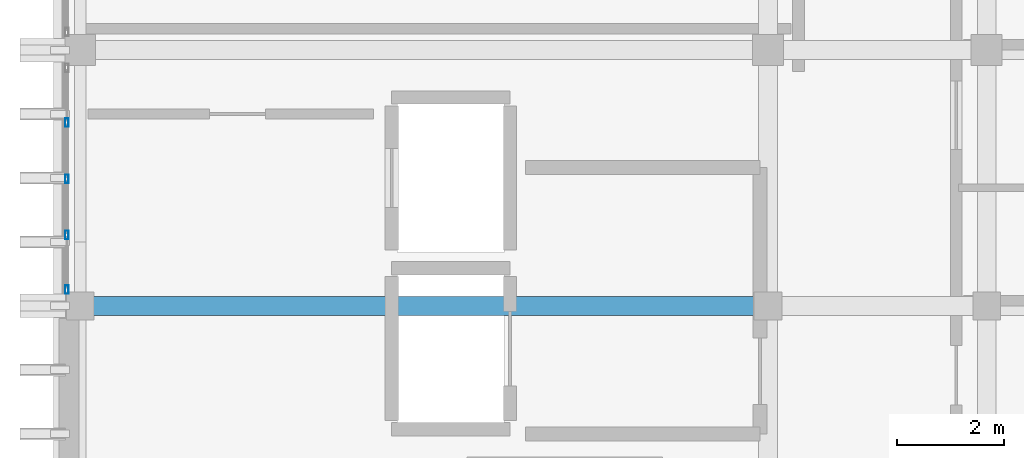
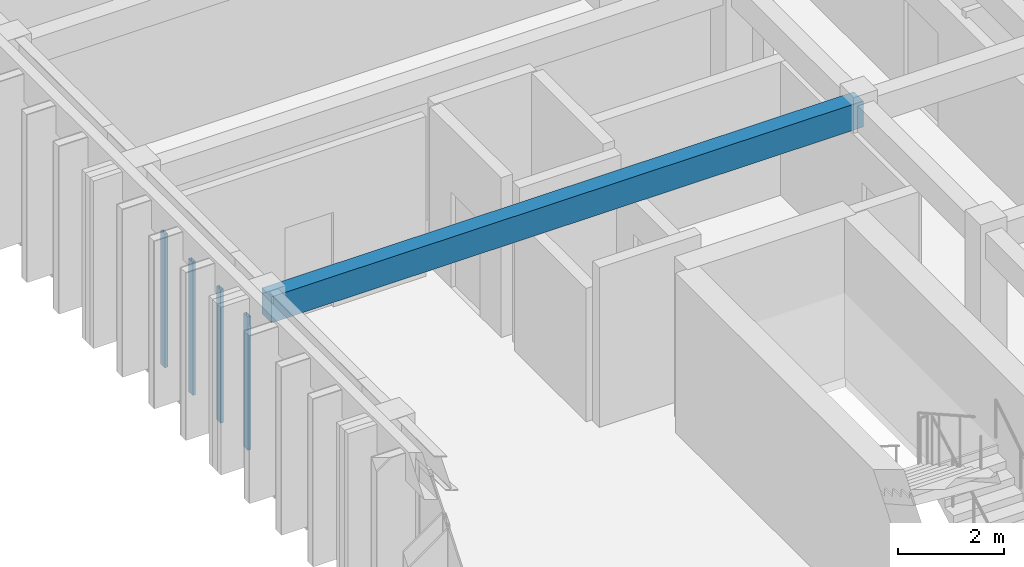
# One storey, part 12 of 49: 4 members, 1 beam, 1 element without a shape of its own.
"""IFC4 building model written with IfcOpenShell, lengths in metres."""

from ifc_helpers import new_model, si_unit, direction, frame, origin, origin_2d, place, context, subcontext, project, spatial, rectangle, hollow_rectangle, extrude, material, layer, layer_set, material_profile, profile_set, type_object, element, aggregate, save


model = new_model("IFC4")

# Units and contexts
model_context = context("Model", 3, precision=1e-05, world=origin(), true_north=direction((0.0, 1.0)))
body_context = subcontext(model_context, "Body", "Model", "MODEL_VIEW")
ifc_project = project(units=[si_unit("LENGTHUNIT", "METRE"), si_unit("AREAUNIT", "SQUARE_METRE"), si_unit("VOLUMEUNIT", "CUBIC_METRE"), si_unit("PLANEANGLEUNIT", "RADIAN"), si_unit("MASSUNIT", "GRAM", prefix="KILO")], contexts=[model_context])

# Site, building, storey
site_placement = place(None, origin())
site = spatial("IfcSite", under=ifc_project, at=site_placement, CompositionType="ELEMENT")
building_placement = place(site_placement, origin())
building = spatial("IfcBuilding", under=site, at=building_placement, Name="Nakhvara Creek Congress Hotel", CompositionType="ELEMENT")
storey_placement = place(building_placement, frame((0.0, 0.0, 46.5)))
storey = spatial("IfcBuildingStorey", under=building, at=storey_placement, Name="L11", CompositionType="ELEMENT", Elevation=46.5)

# Beam
ifc_material_1 = material(Name="Concrete C40/50", Category="concrete")
ifc_material_profile_1 = material_profile(ifc_material_1, rectangle(XDim=0.35009765625, YDim=0.60009765625, at=origin_2d()), Name="RC-BM 350x600", Category="LoadBearing")
ifc_profile_set_1 = profile_set([ifc_material_profile_1], Name="Concrete C40/50")
beam_type = type_object("IfcBeamType", Name="BM-RC-350X600", PredefinedType="BEAM", material=ifc_profile_set_1)
beam_placement = place(storey_placement, frame((149.449951171875, 91.199951171875, 3.3798828125), z_axis=(1.0, 0.0, 0.0), x_axis=(0.0, 1.0, 0.0)))
element("IfcBeam", 1, at=beam_placement, inside=storey, type_object=beam_type, Name="Beam B07-L11-2766", PredefinedType="BEAM", context=body_context, shape_type="SweptSolid", body=[
    extrude(rectangle(XDim=0.35009765625, YDim=0.60009765625, at=origin_2d()), origin(), (0.0, 0.0, 1.0), 12.900146484375),
])

# Curtain wall, members
ifc_material_2 = material(Name="Bronze-anodised aluminium AW-6063-T6 and double-silver low-E glass", Category="aluminium")
ifc_layer = layer(ifc_material_2, 0.199951171875)
ifc_layer_set = layer_set([ifc_layer], Name="Bronze-anodised aluminium AW-6063-T6 and double-silver low-E glass")
curtain_wall_type = type_object("IfcCurtainWallType", Name="CW-HTL-UNIT", PredefinedType="USERDEFINED", material=ifc_layer_set)
curtain_wall_placement = place(storey_placement, origin())
curtain_wall = element("IfcCurtainWall", 2, at=curtain_wall_placement, inside=storey, type_object=curtain_wall_type, Name="Curtain Wall CW339", ObjectType="UNITISED", PredefinedType="USERDEFINED")
ifc_material_3 = material(Name="Bronze-anodised aluminium AW-6063-T6", Category="aluminium")
ifc_material_profile_2 = material_profile(ifc_material_3, hollow_rectangle(XDim=0.06494140625, YDim=0.159912109375, WallThickness=0.00390625, at=origin_2d()), Name="ALU-MULL 65x160x4", Category="LoadBearing")
ifc_profile_set_2 = profile_set([ifc_material_profile_2], Name="Bronze-anodised aluminium AW-6063-T6")
member_type = type_object("IfcMemberType", Name="CW-MULL-160", PredefinedType="MULLION", material=ifc_profile_set_2)
member_1_placement = place(storey_placement, frame((149.199951171875, 91.507568359375, 0.0), z_axis=(0.0, 0.0, 1.0), x_axis=(-1.0, 0.0, 0.0)))
member_1 = element("IfcMember", 3, at=member_1_placement, type_object=member_type, Name="CW339 mullion 1", PredefinedType="MULLION", context=body_context, shape_type="SweptSolid", body=[
    extrude(hollow_rectangle(XDim=0.06494140625, YDim=0.159912109375, WallThickness=0.00390625, at=origin_2d()), origin(), (0.0, 0.0, 1.0), 3.072021484375),
])
member_2_placement = place(storey_placement, frame((149.199951171875, 92.530029296875, 0.0), z_axis=(0.0, 0.0, 1.0), x_axis=(-1.0, 0.0, 0.0)))
member_2 = element("IfcMember", 4, at=member_2_placement, type_object=member_type, Name="CW339 mullion 2", PredefinedType="MULLION", context=body_context, shape_type="SweptSolid", body=[
    extrude(hollow_rectangle(XDim=0.06494140625, YDim=0.159912109375, WallThickness=0.00390625, at=origin_2d()), origin(), (0.0, 0.0, 1.0), 3.072021484375),
])
member_3_placement = place(storey_placement, frame((149.199951171875, 93.5849609375, 0.0), z_axis=(0.0, 0.0, 1.0), x_axis=(-1.0, 0.0, 0.0)))
member_3 = element("IfcMember", 5, at=member_3_placement, type_object=member_type, Name="CW339 mullion 3", PredefinedType="MULLION", context=body_context, shape_type="SweptSolid", body=[
    extrude(hollow_rectangle(XDim=0.06494140625, YDim=0.159912109375, WallThickness=0.00390625, at=origin_2d()), origin(), (0.0, 0.0, 1.0), 3.072021484375),
])
member_4_placement = place(storey_placement, frame((149.199951171875, 94.639892578125, 0.0), z_axis=(0.0, 0.0, 1.0), x_axis=(-1.0, 0.0, 0.0)))
member_4 = element("IfcMember", 6, at=member_4_placement, type_object=member_type, Name="CW339 mullion 4", PredefinedType="MULLION", context=body_context, shape_type="SweptSolid", body=[
    extrude(hollow_rectangle(XDim=0.06494140625, YDim=0.159912109375, WallThickness=0.00390625, at=origin_2d()), origin(), (0.0, 0.0, 1.0), 3.072021484375),
])
aggregate(curtain_wall, [member_1, member_2, member_3, member_4])

save(model, "model.ifc")
